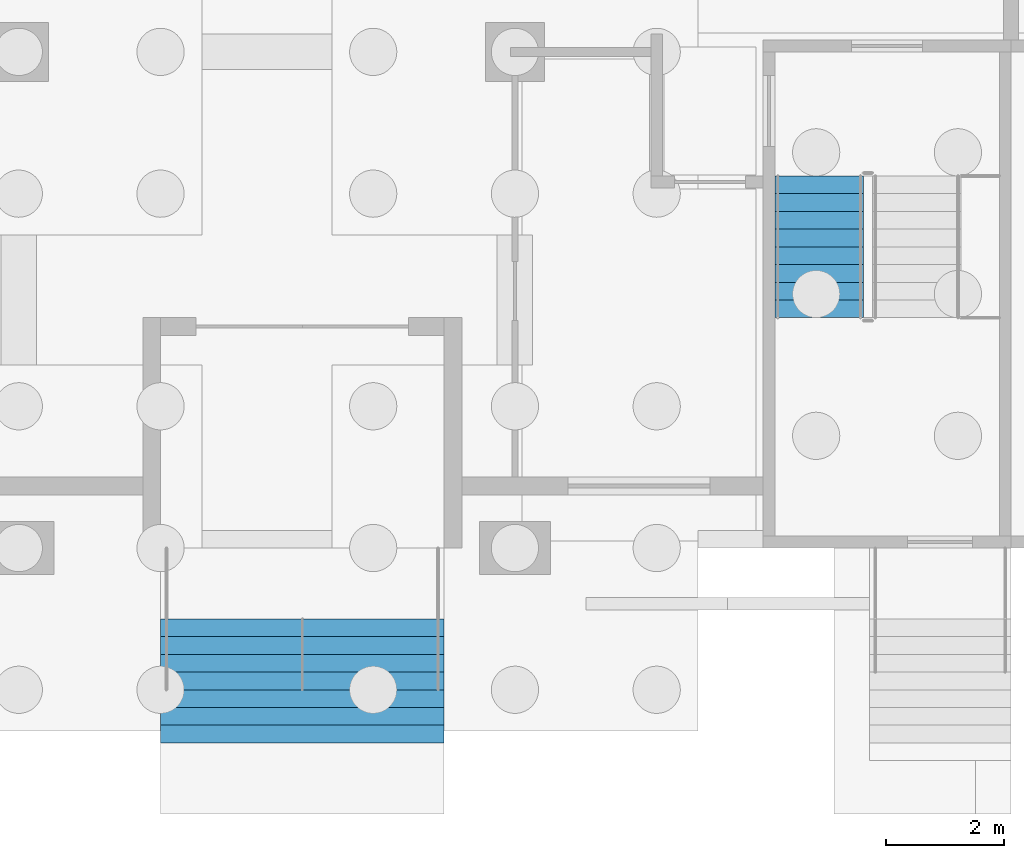
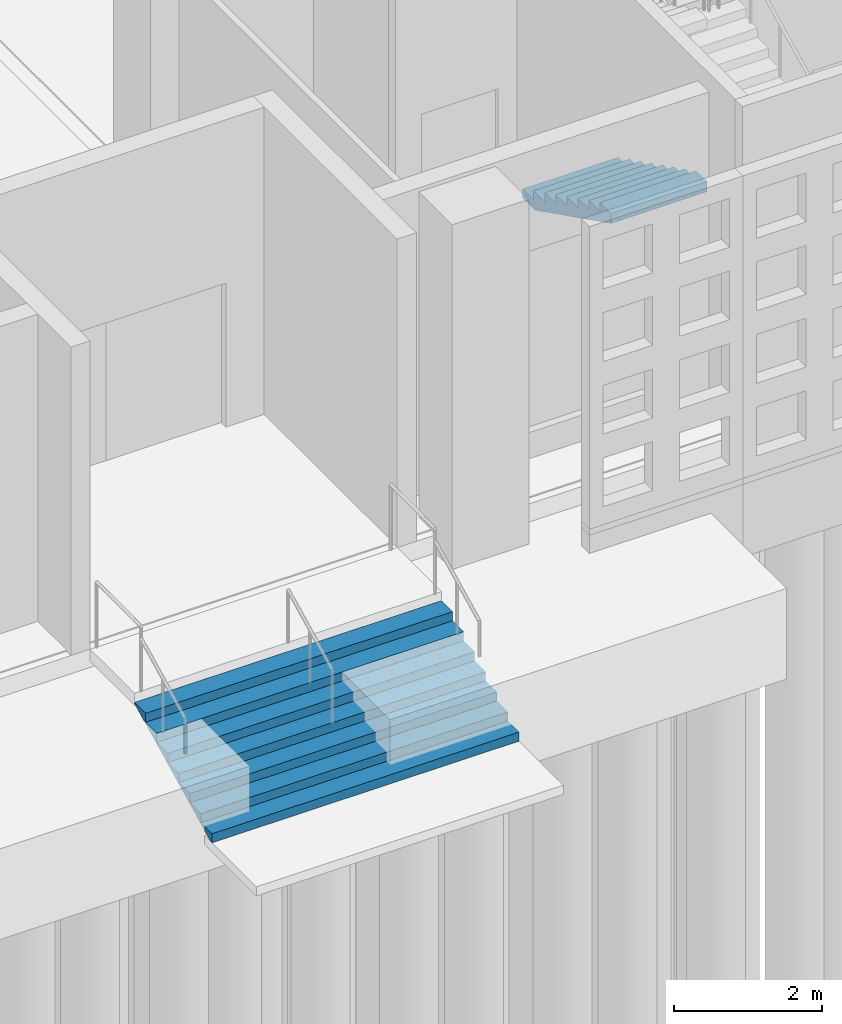
# One storey, part 62 of 129: 2 stair flights, 2 elements without a shape of their own.
"""IFC4 building model written with IfcOpenShell, lengths in metres."""

from ifc_helpers import new_model, si_unit, direction, frame, origin, place, context, subcontext, project, spatial, faceted_brep, material, type_object, element, aggregate, save


model = new_model("IFC4")

# Units and contexts
model_context = context("Model", 3, precision=1e-05, world=origin(), true_north=direction((0.0, 1.0)))
body_context = subcontext(model_context, "Body", "Model", "MODEL_VIEW")
ifc_project = project(units=[si_unit("LENGTHUNIT", "METRE"), si_unit("AREAUNIT", "SQUARE_METRE"), si_unit("VOLUMEUNIT", "CUBIC_METRE"), si_unit("PLANEANGLEUNIT", "RADIAN"), si_unit("MASSUNIT", "GRAM", prefix="KILO")], contexts=[model_context])

# Site, building, storey
site_placement = place(None, origin())
site = spatial("IfcSite", under=ifc_project, at=site_placement, CompositionType="ELEMENT")
building_placement = place(site_placement, origin())
building = spatial("IfcBuilding", under=site, at=building_placement, Name="Kiln Court Media Centre", CompositionType="ELEMENT")
storey_placement = place(building_placement, origin())
storey = spatial("IfcBuildingStorey", under=building, at=storey_placement, Name="L00", CompositionType="ELEMENT", Elevation=0.0)

# Stair, stair flight
ifc_material_1 = material(Name="Concrete C30/37", Category="concrete")
stair_type_1 = type_object("IfcStairType", Name="Concrete C30/37 entrance steps 4800 wide", PredefinedType="STRAIGHT_RUN_STAIR", material=ifc_material_1)
stair_1_placement = place(storey_placement, origin())
stair_1 = element("IfcStair", 1, at=stair_1_placement, inside=storey, type_object=stair_type_1, Name="EN-02 street porch steps", PredefinedType="STRAIGHT_RUN_STAIR")
ifc_material_2 = material(Name="Concrete C30/37", Category="concrete")
stair_flight_type_1 = type_object("IfcStairFlightType", Name="Concrete C30/37 entrance steps 4800 wide flight", PredefinedType="STRAIGHT", material=ifc_material_2)
stair_flight_1_placement = place(storey_placement, frame((21.60009765625, -3.300048828125, -1.199951171875), z_axis=(0.0, 0.0, 1.0), x_axis=(0.0, 1.0, 0.0)))
stair_flight_1 = element("IfcStairFlight", 2, at=stair_flight_1_placement, type_object=stair_flight_type_1, Name="ST-A1 flight 1", NumberOfRisers=8, NumberOfTreads=7, PredefinedType="STRAIGHT", RiserHeight=0.15, TreadLength=0.3, context=body_context, shape_type="Brep", body=[
    faceted_brep([(0.044677734375, -2.39990234375, 0.0), (2.10009765625, -2.39990234375, 1.027587890625), (2.10009765625, -2.39990234375, 1.050048828125), (1.800048828125, -2.39990234375, 1.050048828125), (1.800048828125, -2.39990234375, 0.89990234375), (1.5, -2.39990234375, 0.89990234375), (1.5, -2.39990234375, 0.75), (1.199951171875, -2.39990234375, 0.75), (1.199951171875, -2.39990234375, 0.60009765625), (0.89990234375, -2.39990234375, 0.60009765625), (0.89990234375, -2.39990234375, 0.449951171875), (0.60009765625, -2.39990234375, 0.449951171875), (0.60009765625, -2.39990234375, 0.300048828125), (0.300048828125, -2.39990234375, 0.300048828125), (0.300048828125, -2.39990234375, 0.14990234375), (0.0, -2.39990234375, 0.14990234375), (0.0, -2.39990234375, 0.0), (0.0, 2.39990234375, 0.0), (0.0, 2.39990234375, 0.14990234375), (0.300048828125, 2.39990234375, 0.14990234375), (0.300048828125, 2.39990234375, 0.300048828125), (0.60009765625, 2.39990234375, 0.300048828125), (0.60009765625, 2.39990234375, 0.449951171875), (0.89990234375, 2.39990234375, 0.449951171875), (0.89990234375, 2.39990234375, 0.60009765625), (1.199951171875, 2.39990234375, 0.60009765625), (1.199951171875, 2.39990234375, 0.75), (1.5, 2.39990234375, 0.75), (1.5, 2.39990234375, 0.89990234375), (1.800048828125, 2.39990234375, 0.89990234375), (1.800048828125, 2.39990234375, 1.050048828125), (2.10009765625, 2.39990234375, 1.050048828125), (2.10009765625, 2.39990234375, 1.027587890625), (0.044677734375, 2.39990234375, 0.0), (2.10009765625, 0.10009765625, 1.027587890625), (0.044677734375, 0.10009765625, 0.0), (2.10009765625, 0.080078125, 1.027587890625), (0.044677734375, 0.080078125, 0.0), (2.10009765625, 0.06005859375, 1.027587890625), (0.044677734375, 0.06005859375, 0.0), (2.10009765625, 0.0400390625, 1.027587890625), (0.044677734375, 0.0400390625, 0.0), (2.10009765625, 0.02001953125, 1.027587890625), (0.044677734375, 0.02001953125, 0.0), (2.10009765625, 0.0, 1.027587890625), (0.044677734375, 0.0, 0.0), (2.10009765625, -0.02001953125, 1.027587890625), (0.044677734375, -0.02001953125, 0.0), (2.10009765625, -0.0400390625, 1.027587890625), (0.044677734375, -0.0400390625, 0.0), (2.10009765625, -0.06005859375, 1.027587890625), (0.044677734375, -0.06005859375, 0.0), (2.10009765625, -0.080078125, 1.027587890625), (0.044677734375, -0.080078125, 0.0), (2.10009765625, -0.10009765625, 1.027587890625), (0.044677734375, -0.10009765625, 0.0), (2.10009765625, 0.10009765625, 1.050048828125), (2.10009765625, 0.080078125, 1.050048828125), (2.10009765625, 0.06005859375, 1.050048828125), (2.10009765625, 0.0400390625, 1.050048828125), (2.10009765625, 0.02001953125, 1.050048828125), (2.10009765625, 0.0, 1.050048828125), (2.10009765625, -0.02001953125, 1.050048828125), (2.10009765625, -0.0400390625, 1.050048828125), (2.10009765625, -0.06005859375, 1.050048828125), (2.10009765625, -0.080078125, 1.050048828125), (2.10009765625, -0.10009765625, 1.050048828125), (1.800048828125, 0.10009765625, 1.050048828125), (1.800048828125, 0.080078125, 1.050048828125), (1.800048828125, 0.06005859375, 1.050048828125), (1.800048828125, 0.0400390625, 1.050048828125), (1.800048828125, 0.02001953125, 1.050048828125), (1.800048828125, 0.0, 1.050048828125), (1.800048828125, -0.02001953125, 1.050048828125), (1.800048828125, -0.0400390625, 1.050048828125), (1.800048828125, -0.06005859375, 1.050048828125), (1.800048828125, -0.080078125, 1.050048828125), (1.800048828125, -0.10009765625, 1.050048828125), (1.800048828125, 0.10009765625, 0.89990234375), (1.800048828125, 0.080078125, 0.89990234375), (1.800048828125, 0.06005859375, 0.89990234375), (1.800048828125, 0.0400390625, 0.89990234375), (1.800048828125, 0.02001953125, 0.89990234375), (1.800048828125, 0.0, 0.89990234375), (1.800048828125, -0.02001953125, 0.89990234375), (1.800048828125, -0.0400390625, 0.89990234375), (1.800048828125, -0.06005859375, 0.89990234375), (1.800048828125, -0.080078125, 0.89990234375), (1.800048828125, -0.10009765625, 0.89990234375), (1.5, 0.10009765625, 0.89990234375), (1.5, 0.080078125, 0.89990234375), (1.5, 0.06005859375, 0.89990234375), (1.5, 0.0400390625, 0.89990234375), (1.5, 0.02001953125, 0.89990234375), (1.5, 0.0, 0.89990234375), (1.5, -0.02001953125, 0.89990234375), (1.5, -0.0400390625, 0.89990234375), (1.5, -0.06005859375, 0.89990234375), (1.5, -0.080078125, 0.89990234375), (1.5, -0.10009765625, 0.89990234375), (1.5, 0.10009765625, 0.75), (1.5, 0.080078125, 0.75), (1.5, 0.06005859375, 0.75), (1.5, 0.0400390625, 0.75), (1.5, 0.02001953125, 0.75), (1.5, 0.0, 0.75), (1.5, -0.02001953125, 0.75), (1.5, -0.0400390625, 0.75), (1.5, -0.06005859375, 0.75), (1.5, -0.080078125, 0.75), (1.5, -0.10009765625, 0.75), (1.199951171875, 0.10009765625, 0.75), (1.199951171875, 0.080078125, 0.75), (1.199951171875, 0.06005859375, 0.75), (1.199951171875, 0.0400390625, 0.75), (1.199951171875, 0.02001953125, 0.75), (1.199951171875, 0.0, 0.75), (1.199951171875, -0.02001953125, 0.75), (1.199951171875, -0.0400390625, 0.75), (1.199951171875, -0.06005859375, 0.75), (1.199951171875, -0.080078125, 0.75), (1.199951171875, -0.10009765625, 0.75), (1.199951171875, 0.10009765625, 0.60009765625), (1.199951171875, 0.080078125, 0.60009765625), (1.199951171875, 0.06005859375, 0.60009765625), (1.199951171875, 0.0400390625, 0.60009765625), (1.199951171875, 0.02001953125, 0.60009765625), (1.199951171875, 0.0, 0.60009765625), (1.199951171875, -0.02001953125, 0.60009765625), (1.199951171875, -0.0400390625, 0.60009765625), (1.199951171875, -0.06005859375, 0.60009765625), (1.199951171875, -0.080078125, 0.60009765625), (1.199951171875, -0.10009765625, 0.60009765625), (0.89990234375, 0.10009765625, 0.60009765625), (0.89990234375, 0.080078125, 0.60009765625), (0.89990234375, 0.06005859375, 0.60009765625), (0.89990234375, 0.0400390625, 0.60009765625), (0.89990234375, 0.02001953125, 0.60009765625), (0.89990234375, 0.0, 0.60009765625), (0.89990234375, -0.02001953125, 0.60009765625), (0.89990234375, -0.0400390625, 0.60009765625), (0.89990234375, -0.06005859375, 0.60009765625), (0.89990234375, -0.080078125, 0.60009765625), (0.89990234375, -0.10009765625, 0.60009765625), (0.89990234375, 0.10009765625, 0.449951171875), (0.89990234375, 0.080078125, 0.449951171875), (0.89990234375, 0.06005859375, 0.449951171875), (0.89990234375, 0.0400390625, 0.449951171875), (0.89990234375, 0.02001953125, 0.449951171875), (0.89990234375, 0.0, 0.449951171875), (0.89990234375, -0.02001953125, 0.449951171875), (0.89990234375, -0.0400390625, 0.449951171875), (0.89990234375, -0.06005859375, 0.449951171875), (0.89990234375, -0.080078125, 0.449951171875), (0.89990234375, -0.10009765625, 0.449951171875), (0.60009765625, 0.10009765625, 0.449951171875), (0.60009765625, 0.080078125, 0.449951171875), (0.60009765625, 0.06005859375, 0.449951171875), (0.60009765625, 0.0400390625, 0.449951171875), (0.60009765625, 0.02001953125, 0.449951171875), (0.60009765625, 0.0, 0.449951171875), (0.60009765625, -0.02001953125, 0.449951171875), (0.60009765625, -0.0400390625, 0.449951171875), (0.60009765625, -0.06005859375, 0.449951171875), (0.60009765625, -0.080078125, 0.449951171875), (0.60009765625, -0.10009765625, 0.449951171875), (0.60009765625, 0.10009765625, 0.300048828125), (0.60009765625, 0.080078125, 0.300048828125), (0.60009765625, 0.06005859375, 0.300048828125), (0.60009765625, 0.0400390625, 0.300048828125), (0.60009765625, 0.02001953125, 0.300048828125), (0.60009765625, 0.0, 0.300048828125), (0.60009765625, -0.02001953125, 0.300048828125), (0.60009765625, -0.0400390625, 0.300048828125), (0.60009765625, -0.06005859375, 0.300048828125), (0.60009765625, -0.080078125, 0.300048828125), (0.60009765625, -0.10009765625, 0.300048828125), (0.300048828125, 0.10009765625, 0.300048828125), (0.300048828125, 0.080078125, 0.300048828125), (0.300048828125, 0.06005859375, 0.300048828125), (0.300048828125, 0.0400390625, 0.300048828125), (0.300048828125, 0.02001953125, 0.300048828125), (0.300048828125, 0.0, 0.300048828125), (0.300048828125, -0.02001953125, 0.300048828125), (0.300048828125, -0.0400390625, 0.300048828125), (0.300048828125, -0.06005859375, 0.300048828125), (0.300048828125, -0.080078125, 0.300048828125), (0.300048828125, -0.10009765625, 0.300048828125), (0.300048828125, 0.10009765625, 0.14990234375), (0.300048828125, 0.080078125, 0.14990234375), (0.300048828125, 0.06005859375, 0.14990234375), (0.300048828125, 0.0400390625, 0.14990234375), (0.300048828125, 0.02001953125, 0.14990234375), (0.300048828125, 0.0, 0.14990234375), (0.300048828125, -0.02001953125, 0.14990234375), (0.300048828125, -0.0400390625, 0.14990234375), (0.300048828125, -0.06005859375, 0.14990234375), (0.300048828125, -0.080078125, 0.14990234375), (0.300048828125, -0.10009765625, 0.14990234375), (0.0, 0.10009765625, 0.14990234375), (0.0, 0.080078125, 0.14990234375), (0.0, 0.06005859375, 0.14990234375), (0.0, 0.0400390625, 0.14990234375), (0.0, 0.02001953125, 0.14990234375), (0.0, 0.0, 0.14990234375), (0.0, -0.02001953125, 0.14990234375), (0.0, -0.0400390625, 0.14990234375), (0.0, -0.06005859375, 0.14990234375), (0.0, -0.080078125, 0.14990234375), (0.0, -0.10009765625, 0.14990234375), (0.0, 0.10009765625, 0.0), (0.0, 0.080078125, 0.0), (0.0, 0.06005859375, 0.0), (0.0, 0.0400390625, 0.0), (0.0, 0.02001953125, 0.0), (0.0, 0.0, 0.0), (0.0, -0.02001953125, 0.0), (0.0, -0.0400390625, 0.0), (0.0, -0.06005859375, 0.0), (0.0, -0.080078125, 0.0), (0.0, -0.10009765625, 0.0)], [[[0, 1, 2, 3, 4, 5, 6, 7, 8, 9, 10, 11, 12, 13, 14, 15, 16]], [[17, 18, 19, 20, 21, 22, 23, 24, 25, 26, 27, 28, 29, 30, 31, 32, 33]], [[33, 32, 34, 35]], [[35, 34, 36, 37]], [[37, 36, 38, 39]], [[39, 38, 40, 41]], [[41, 40, 42, 43]], [[43, 42, 44, 45]], [[45, 44, 46, 47]], [[47, 46, 48, 49]], [[49, 48, 50, 51]], [[51, 50, 52, 53]], [[53, 52, 54, 55]], [[55, 54, 1, 0]], [[32, 31, 56, 34]], [[34, 56, 57, 36]], [[36, 57, 58, 38]], [[38, 58, 59, 40]], [[40, 59, 60, 42]], [[42, 60, 61, 44]], [[44, 61, 62, 46]], [[46, 62, 63, 48]], [[48, 63, 64, 50]], [[50, 64, 65, 52]], [[52, 65, 66, 54]], [[54, 66, 2, 1]], [[31, 30, 67, 56]], [[56, 67, 68, 57]], [[57, 68, 69, 58]], [[58, 69, 70, 59]], [[59, 70, 71, 60]], [[60, 71, 72, 61]], [[61, 72, 73, 62]], [[62, 73, 74, 63]], [[63, 74, 75, 64]], [[64, 75, 76, 65]], [[65, 76, 77, 66]], [[66, 77, 3, 2]], [[30, 29, 78, 67]], [[67, 78, 79, 68]], [[68, 79, 80, 69]], [[69, 80, 81, 70]], [[70, 81, 82, 71]], [[71, 82, 83, 72]], [[72, 83, 84, 73]], [[73, 84, 85, 74]], [[74, 85, 86, 75]], [[75, 86, 87, 76]], [[76, 87, 88, 77]], [[77, 88, 4, 3]], [[29, 28, 89, 78]], [[78, 89, 90, 79]], [[79, 90, 91, 80]], [[80, 91, 92, 81]], [[81, 92, 93, 82]], [[82, 93, 94, 83]], [[83, 94, 95, 84]], [[84, 95, 96, 85]], [[85, 96, 97, 86]], [[86, 97, 98, 87]], [[87, 98, 99, 88]], [[88, 99, 5, 4]], [[28, 27, 100, 89]], [[89, 100, 101, 90]], [[90, 101, 102, 91]], [[91, 102, 103, 92]], [[92, 103, 104, 93]], [[93, 104, 105, 94]], [[94, 105, 106, 95]], [[95, 106, 107, 96]], [[96, 107, 108, 97]], [[97, 108, 109, 98]], [[98, 109, 110, 99]], [[99, 110, 6, 5]], [[27, 26, 111, 100]], [[100, 111, 112, 101]], [[101, 112, 113, 102]], [[102, 113, 114, 103]], [[103, 114, 115, 104]], [[104, 115, 116, 105]], [[105, 116, 117, 106]], [[106, 117, 118, 107]], [[107, 118, 119, 108]], [[108, 119, 120, 109]], [[109, 120, 121, 110]], [[110, 121, 7, 6]], [[26, 25, 122, 111]], [[111, 122, 123, 112]], [[112, 123, 124, 113]], [[113, 124, 125, 114]], [[114, 125, 126, 115]], [[115, 126, 127, 116]], [[116, 127, 128, 117]], [[117, 128, 129, 118]], [[118, 129, 130, 119]], [[119, 130, 131, 120]], [[120, 131, 132, 121]], [[121, 132, 8, 7]], [[25, 24, 133, 122]], [[122, 133, 134, 123]], [[123, 134, 135, 124]], [[124, 135, 136, 125]], [[125, 136, 137, 126]], [[126, 137, 138, 127]], [[127, 138, 139, 128]], [[128, 139, 140, 129]], [[129, 140, 141, 130]], [[130, 141, 142, 131]], [[131, 142, 143, 132]], [[132, 143, 9, 8]], [[24, 23, 144, 133]], [[133, 144, 145, 134]], [[134, 145, 146, 135]], [[135, 146, 147, 136]], [[136, 147, 148, 137]], [[137, 148, 149, 138]], [[138, 149, 150, 139]], [[139, 150, 151, 140]], [[140, 151, 152, 141]], [[141, 152, 153, 142]], [[142, 153, 154, 143]], [[143, 154, 10, 9]], [[23, 22, 155, 144]], [[144, 155, 156, 145]], [[145, 156, 157, 146]], [[146, 157, 158, 147]], [[147, 158, 159, 148]], [[148, 159, 160, 149]], [[149, 160, 161, 150]], [[150, 161, 162, 151]], [[151, 162, 163, 152]], [[152, 163, 164, 153]], [[153, 164, 165, 154]], [[154, 165, 11, 10]], [[22, 21, 166, 155]], [[155, 166, 167, 156]], [[156, 167, 168, 157]], [[157, 168, 169, 158]], [[158, 169, 170, 159]], [[159, 170, 171, 160]], [[160, 171, 172, 161]], [[161, 172, 173, 162]], [[162, 173, 174, 163]], [[163, 174, 175, 164]], [[164, 175, 176, 165]], [[165, 176, 12, 11]], [[21, 20, 177, 166]], [[166, 177, 178, 167]], [[167, 178, 179, 168]], [[168, 179, 180, 169]], [[169, 180, 181, 170]], [[170, 181, 182, 171]], [[171, 182, 183, 172]], [[172, 183, 184, 173]], [[173, 184, 185, 174]], [[174, 185, 186, 175]], [[175, 186, 187, 176]], [[176, 187, 13, 12]], [[20, 19, 188, 177]], [[177, 188, 189, 178]], [[178, 189, 190, 179]], [[179, 190, 191, 180]], [[180, 191, 192, 181]], [[181, 192, 193, 182]], [[182, 193, 194, 183]], [[183, 194, 195, 184]], [[184, 195, 196, 185]], [[185, 196, 197, 186]], [[186, 197, 198, 187]], [[187, 198, 14, 13]], [[19, 18, 199, 188]], [[188, 199, 200, 189]], [[189, 200, 201, 190]], [[190, 201, 202, 191]], [[191, 202, 203, 192]], [[192, 203, 204, 193]], [[193, 204, 205, 194]], [[194, 205, 206, 195]], [[195, 206, 207, 196]], [[196, 207, 208, 197]], [[197, 208, 209, 198]], [[198, 209, 15, 14]], [[18, 17, 210, 199]], [[199, 210, 211, 200]], [[200, 211, 212, 201]], [[201, 212, 213, 202]], [[202, 213, 214, 203]], [[203, 214, 215, 204]], [[204, 215, 216, 205]], [[205, 216, 217, 206]], [[206, 217, 218, 207]], [[207, 218, 219, 208]], [[208, 219, 220, 209]], [[209, 220, 16, 15]], [[17, 33, 35, 210]], [[210, 35, 37, 211]], [[211, 37, 39, 212]], [[212, 39, 41, 213]], [[213, 41, 43, 214]], [[214, 43, 45, 215]], [[215, 45, 47, 216]], [[216, 47, 49, 217]], [[217, 49, 51, 218]], [[218, 51, 53, 219]], [[219, 53, 55, 220]], [[220, 55, 0, 16]]]),
])
aggregate(stair_1, [stair_flight_1])

ifc_material_3 = material(Name="Concrete C40/50", Category="concrete")
stair_type_2 = type_object("IfcStairType", Name="Concrete C40/50 dog-leg stair 1500 wide, 150 riser", PredefinedType="HALF_TURN_STAIR", material=ifc_material_3)
stair_2_placement = place(storey_placement, origin())
stair_2 = element("IfcStair", 3, at=stair_2_placement, inside=storey, type_object=stair_type_2, Name="ST-03 L00", PredefinedType="HALF_TURN_STAIR")
ifc_material_4 = material(Name="Concrete C40/50", Category="concrete")
stair_flight_type_2 = type_object("IfcStairFlightType", Name="Concrete C40/50 stair flight 1500 wide, 150 riser, 300 going", PredefinedType="STRAIGHT", material=ifc_material_4)
stair_flight_2_placement = place(storey_placement, frame((30.35009765625, 6.300048828125, 0.0), z_axis=(0.0, 0.0, 1.0), x_axis=(0.0, -1.0, 0.0)))
stair_flight_2 = element("IfcStairFlight", 4, at=stair_flight_2_placement, type_object=stair_flight_type_2, Name="L00-ST-5002 flight 5008", NumberOfRisers=9, NumberOfTreads=8, PredefinedType="STRAIGHT", RiserHeight=0.15, TreadLength=0.3, context=body_context, shape_type="Brep", body=[
    faceted_brep([(0.335205078125, -0.75, 0.0), (2.39990234375, -0.75, 1.032470703125), (2.39990234375, -0.75, 1.199951171875), (2.10009765625, -0.75, 1.199951171875), (2.10009765625, -0.75, 1.050048828125), (1.800048828125, -0.75, 1.050048828125), (1.800048828125, -0.75, 0.89990234375), (1.5, -0.75, 0.89990234375), (1.5, -0.75, 0.75), (1.199951171875, -0.75, 0.75), (1.199951171875, -0.75, 0.60009765625), (0.89990234375, -0.75, 0.60009765625), (0.89990234375, -0.75, 0.449951171875), (0.60009765625, -0.75, 0.449951171875), (0.60009765625, -0.75, 0.300048828125), (0.300048828125, -0.75, 0.300048828125), (0.300048828125, -0.75, 0.14990234375), (0.0, -0.75, 0.14990234375), (0.0, -0.75, 0.0), (0.0, 0.75, 0.0), (0.0, 0.75, 0.14990234375), (0.300048828125, 0.75, 0.14990234375), (0.300048828125, 0.75, 0.300048828125), (0.60009765625, 0.75, 0.300048828125), (0.60009765625, 0.75, 0.449951171875), (0.89990234375, 0.75, 0.449951171875), (0.89990234375, 0.75, 0.60009765625), (1.199951171875, 0.75, 0.60009765625), (1.199951171875, 0.75, 0.75), (1.5, 0.75, 0.75), (1.5, 0.75, 0.89990234375), (1.800048828125, 0.75, 0.89990234375), (1.800048828125, 0.75, 1.050048828125), (2.10009765625, 0.75, 1.050048828125), (2.10009765625, 0.75, 1.199951171875), (2.39990234375, 0.75, 1.199951171875), (2.39990234375, 0.75, 1.032470703125), (0.335205078125, 0.75, 0.0), (2.39990234375, 0.10009765625, 1.032470703125), (0.335205078125, 0.10009765625, 0.0), (2.39990234375, 0.080078125, 1.032470703125), (0.335205078125, 0.080078125, 0.0), (2.39990234375, 0.06005859375, 1.032470703125), (0.335205078125, 0.06005859375, 0.0), (2.39990234375, 0.0400390625, 1.032470703125), (0.335205078125, 0.0400390625, 0.0), (2.39990234375, 0.02001953125, 1.032470703125), (0.335205078125, 0.02001953125, 0.0), (2.39990234375, 0.0, 1.032470703125), (0.335205078125, 0.0, 0.0), (2.39990234375, -0.02001953125, 1.032470703125), (0.335205078125, -0.02001953125, 0.0), (2.39990234375, -0.0400390625, 1.032470703125), (0.335205078125, -0.0400390625, 0.0), (2.39990234375, -0.06005859375, 1.032470703125), (0.335205078125, -0.06005859375, 0.0), (2.39990234375, -0.080078125, 1.032470703125), (0.335205078125, -0.080078125, 0.0), (2.39990234375, -0.10009765625, 1.032470703125), (0.335205078125, -0.10009765625, 0.0), (2.39990234375, 0.10009765625, 1.199951171875), (2.39990234375, 0.080078125, 1.199951171875), (2.39990234375, 0.06005859375, 1.199951171875), (2.39990234375, 0.0400390625, 1.199951171875), (2.39990234375, 0.02001953125, 1.199951171875), (2.39990234375, 0.0, 1.199951171875), (2.39990234375, -0.02001953125, 1.199951171875), (2.39990234375, -0.0400390625, 1.199951171875), (2.39990234375, -0.06005859375, 1.199951171875), (2.39990234375, -0.080078125, 1.199951171875), (2.39990234375, -0.10009765625, 1.199951171875), (2.10009765625, 0.10009765625, 1.199951171875), (2.10009765625, 0.080078125, 1.199951171875), (2.10009765625, 0.06005859375, 1.199951171875), (2.10009765625, 0.0400390625, 1.199951171875), (2.10009765625, 0.02001953125, 1.199951171875), (2.10009765625, 0.0, 1.199951171875), (2.10009765625, -0.02001953125, 1.199951171875), (2.10009765625, -0.0400390625, 1.199951171875), (2.10009765625, -0.06005859375, 1.199951171875), (2.10009765625, -0.080078125, 1.199951171875), (2.10009765625, -0.10009765625, 1.199951171875), (2.10009765625, 0.10009765625, 1.050048828125), (2.10009765625, 0.080078125, 1.050048828125), (2.10009765625, 0.06005859375, 1.050048828125), (2.10009765625, 0.0400390625, 1.050048828125), (2.10009765625, 0.02001953125, 1.050048828125), (2.10009765625, 0.0, 1.050048828125), (2.10009765625, -0.02001953125, 1.050048828125), (2.10009765625, -0.0400390625, 1.050048828125), (2.10009765625, -0.06005859375, 1.050048828125), (2.10009765625, -0.080078125, 1.050048828125), (2.10009765625, -0.10009765625, 1.050048828125), (1.800048828125, 0.10009765625, 1.050048828125), (1.800048828125, 0.080078125, 1.050048828125), (1.800048828125, 0.06005859375, 1.050048828125), (1.800048828125, 0.0400390625, 1.050048828125), (1.800048828125, 0.02001953125, 1.050048828125), (1.800048828125, 0.0, 1.050048828125), (1.800048828125, -0.02001953125, 1.050048828125), (1.800048828125, -0.0400390625, 1.050048828125), (1.800048828125, -0.06005859375, 1.050048828125), (1.800048828125, -0.080078125, 1.050048828125), (1.800048828125, -0.10009765625, 1.050048828125), (1.800048828125, 0.10009765625, 0.89990234375), (1.800048828125, 0.080078125, 0.89990234375), (1.800048828125, 0.06005859375, 0.89990234375), (1.800048828125, 0.0400390625, 0.89990234375), (1.800048828125, 0.02001953125, 0.89990234375), (1.800048828125, 0.0, 0.89990234375), (1.800048828125, -0.02001953125, 0.89990234375), (1.800048828125, -0.0400390625, 0.89990234375), (1.800048828125, -0.06005859375, 0.89990234375), (1.800048828125, -0.080078125, 0.89990234375), (1.800048828125, -0.10009765625, 0.89990234375), (1.5, 0.10009765625, 0.89990234375), (1.5, 0.080078125, 0.89990234375), (1.5, 0.06005859375, 0.89990234375), (1.5, 0.0400390625, 0.89990234375), (1.5, 0.02001953125, 0.89990234375), (1.5, 0.0, 0.89990234375), (1.5, -0.02001953125, 0.89990234375), (1.5, -0.0400390625, 0.89990234375), (1.5, -0.06005859375, 0.89990234375), (1.5, -0.080078125, 0.89990234375), (1.5, -0.10009765625, 0.89990234375), (1.5, 0.10009765625, 0.75), (1.5, 0.080078125, 0.75), (1.5, 0.06005859375, 0.75), (1.5, 0.0400390625, 0.75), (1.5, 0.02001953125, 0.75), (1.5, 0.0, 0.75), (1.5, -0.02001953125, 0.75), (1.5, -0.0400390625, 0.75), (1.5, -0.06005859375, 0.75), (1.5, -0.080078125, 0.75), (1.5, -0.10009765625, 0.75), (1.199951171875, 0.10009765625, 0.75), (1.199951171875, 0.080078125, 0.75), (1.199951171875, 0.06005859375, 0.75), (1.199951171875, 0.0400390625, 0.75), (1.199951171875, 0.02001953125, 0.75), (1.199951171875, 0.0, 0.75), (1.199951171875, -0.02001953125, 0.75), (1.199951171875, -0.0400390625, 0.75), (1.199951171875, -0.06005859375, 0.75), (1.199951171875, -0.080078125, 0.75), (1.199951171875, -0.10009765625, 0.75), (1.199951171875, 0.10009765625, 0.60009765625), (1.199951171875, 0.080078125, 0.60009765625), (1.199951171875, 0.06005859375, 0.60009765625), (1.199951171875, 0.0400390625, 0.60009765625), (1.199951171875, 0.02001953125, 0.60009765625), (1.199951171875, 0.0, 0.60009765625), (1.199951171875, -0.02001953125, 0.60009765625), (1.199951171875, -0.0400390625, 0.60009765625), (1.199951171875, -0.06005859375, 0.60009765625), (1.199951171875, -0.080078125, 0.60009765625), (1.199951171875, -0.10009765625, 0.60009765625), (0.89990234375, 0.10009765625, 0.60009765625), (0.89990234375, 0.080078125, 0.60009765625), (0.89990234375, 0.06005859375, 0.60009765625), (0.89990234375, 0.0400390625, 0.60009765625), (0.89990234375, 0.02001953125, 0.60009765625), (0.89990234375, 0.0, 0.60009765625), (0.89990234375, -0.02001953125, 0.60009765625), (0.89990234375, -0.0400390625, 0.60009765625), (0.89990234375, -0.06005859375, 0.60009765625), (0.89990234375, -0.080078125, 0.60009765625), (0.89990234375, -0.10009765625, 0.60009765625), (0.89990234375, 0.10009765625, 0.449951171875), (0.89990234375, 0.080078125, 0.449951171875), (0.89990234375, 0.06005859375, 0.449951171875), (0.89990234375, 0.0400390625, 0.449951171875), (0.89990234375, 0.02001953125, 0.449951171875), (0.89990234375, 0.0, 0.449951171875), (0.89990234375, -0.02001953125, 0.449951171875), (0.89990234375, -0.0400390625, 0.449951171875), (0.89990234375, -0.06005859375, 0.449951171875), (0.89990234375, -0.080078125, 0.449951171875), (0.89990234375, -0.10009765625, 0.449951171875), (0.60009765625, 0.10009765625, 0.449951171875), (0.60009765625, 0.080078125, 0.449951171875), (0.60009765625, 0.06005859375, 0.449951171875), (0.60009765625, 0.0400390625, 0.449951171875), (0.60009765625, 0.02001953125, 0.449951171875), (0.60009765625, 0.0, 0.449951171875), (0.60009765625, -0.02001953125, 0.449951171875), (0.60009765625, -0.0400390625, 0.449951171875), (0.60009765625, -0.06005859375, 0.449951171875), (0.60009765625, -0.080078125, 0.449951171875), (0.60009765625, -0.10009765625, 0.449951171875), (0.60009765625, 0.10009765625, 0.300048828125), (0.60009765625, 0.080078125, 0.300048828125), (0.60009765625, 0.06005859375, 0.300048828125), (0.60009765625, 0.0400390625, 0.300048828125), (0.60009765625, 0.02001953125, 0.300048828125), (0.60009765625, 0.0, 0.300048828125), (0.60009765625, -0.02001953125, 0.300048828125), (0.60009765625, -0.0400390625, 0.300048828125), (0.60009765625, -0.06005859375, 0.300048828125), (0.60009765625, -0.080078125, 0.300048828125), (0.60009765625, -0.10009765625, 0.300048828125), (0.300048828125, 0.10009765625, 0.300048828125), (0.300048828125, 0.080078125, 0.300048828125), (0.300048828125, 0.06005859375, 0.300048828125), (0.300048828125, 0.0400390625, 0.300048828125), (0.300048828125, 0.02001953125, 0.300048828125), (0.300048828125, 0.0, 0.300048828125), (0.300048828125, -0.02001953125, 0.300048828125), (0.300048828125, -0.0400390625, 0.300048828125), (0.300048828125, -0.06005859375, 0.300048828125), (0.300048828125, -0.080078125, 0.300048828125), (0.300048828125, -0.10009765625, 0.300048828125), (0.300048828125, 0.10009765625, 0.14990234375), (0.300048828125, 0.080078125, 0.14990234375), (0.300048828125, 0.06005859375, 0.14990234375), (0.300048828125, 0.0400390625, 0.14990234375), (0.300048828125, 0.02001953125, 0.14990234375), (0.300048828125, 0.0, 0.14990234375), (0.300048828125, -0.02001953125, 0.14990234375), (0.300048828125, -0.0400390625, 0.14990234375), (0.300048828125, -0.06005859375, 0.14990234375), (0.300048828125, -0.080078125, 0.14990234375), (0.300048828125, -0.10009765625, 0.14990234375), (0.0, 0.10009765625, 0.14990234375), (0.0, 0.080078125, 0.14990234375), (0.0, 0.06005859375, 0.14990234375), (0.0, 0.0400390625, 0.14990234375), (0.0, 0.02001953125, 0.14990234375), (0.0, 0.0, 0.14990234375), (0.0, -0.02001953125, 0.14990234375), (0.0, -0.0400390625, 0.14990234375), (0.0, -0.06005859375, 0.14990234375), (0.0, -0.080078125, 0.14990234375), (0.0, -0.10009765625, 0.14990234375), (0.0, 0.10009765625, 0.0), (0.0, 0.080078125, 0.0), (0.0, 0.06005859375, 0.0), (0.0, 0.0400390625, 0.0), (0.0, 0.02001953125, 0.0), (0.0, 0.0, 0.0), (0.0, -0.02001953125, 0.0), (0.0, -0.0400390625, 0.0), (0.0, -0.06005859375, 0.0), (0.0, -0.080078125, 0.0), (0.0, -0.10009765625, 0.0)], [[[0, 1, 2, 3, 4, 5, 6, 7, 8, 9, 10, 11, 12, 13, 14, 15, 16, 17, 18]], [[19, 20, 21, 22, 23, 24, 25, 26, 27, 28, 29, 30, 31, 32, 33, 34, 35, 36, 37]], [[37, 36, 38, 39]], [[39, 38, 40, 41]], [[41, 40, 42, 43]], [[43, 42, 44, 45]], [[45, 44, 46, 47]], [[47, 46, 48, 49]], [[49, 48, 50, 51]], [[51, 50, 52, 53]], [[53, 52, 54, 55]], [[55, 54, 56, 57]], [[57, 56, 58, 59]], [[59, 58, 1, 0]], [[36, 35, 60, 38]], [[38, 60, 61, 40]], [[40, 61, 62, 42]], [[42, 62, 63, 44]], [[44, 63, 64, 46]], [[46, 64, 65, 48]], [[48, 65, 66, 50]], [[50, 66, 67, 52]], [[52, 67, 68, 54]], [[54, 68, 69, 56]], [[56, 69, 70, 58]], [[58, 70, 2, 1]], [[35, 34, 71, 60]], [[60, 71, 72, 61]], [[61, 72, 73, 62]], [[62, 73, 74, 63]], [[63, 74, 75, 64]], [[64, 75, 76, 65]], [[65, 76, 77, 66]], [[66, 77, 78, 67]], [[67, 78, 79, 68]], [[68, 79, 80, 69]], [[69, 80, 81, 70]], [[70, 81, 3, 2]], [[34, 33, 82, 71]], [[71, 82, 83, 72]], [[72, 83, 84, 73]], [[73, 84, 85, 74]], [[74, 85, 86, 75]], [[75, 86, 87, 76]], [[76, 87, 88, 77]], [[77, 88, 89, 78]], [[78, 89, 90, 79]], [[79, 90, 91, 80]], [[80, 91, 92, 81]], [[81, 92, 4, 3]], [[33, 32, 93, 82]], [[82, 93, 94, 83]], [[83, 94, 95, 84]], [[84, 95, 96, 85]], [[85, 96, 97, 86]], [[86, 97, 98, 87]], [[87, 98, 99, 88]], [[88, 99, 100, 89]], [[89, 100, 101, 90]], [[90, 101, 102, 91]], [[91, 102, 103, 92]], [[92, 103, 5, 4]], [[32, 31, 104, 93]], [[93, 104, 105, 94]], [[94, 105, 106, 95]], [[95, 106, 107, 96]], [[96, 107, 108, 97]], [[97, 108, 109, 98]], [[98, 109, 110, 99]], [[99, 110, 111, 100]], [[100, 111, 112, 101]], [[101, 112, 113, 102]], [[102, 113, 114, 103]], [[103, 114, 6, 5]], [[31, 30, 115, 104]], [[104, 115, 116, 105]], [[105, 116, 117, 106]], [[106, 117, 118, 107]], [[107, 118, 119, 108]], [[108, 119, 120, 109]], [[109, 120, 121, 110]], [[110, 121, 122, 111]], [[111, 122, 123, 112]], [[112, 123, 124, 113]], [[113, 124, 125, 114]], [[114, 125, 7, 6]], [[30, 29, 126, 115]], [[115, 126, 127, 116]], [[116, 127, 128, 117]], [[117, 128, 129, 118]], [[118, 129, 130, 119]], [[119, 130, 131, 120]], [[120, 131, 132, 121]], [[121, 132, 133, 122]], [[122, 133, 134, 123]], [[123, 134, 135, 124]], [[124, 135, 136, 125]], [[125, 136, 8, 7]], [[29, 28, 137, 126]], [[126, 137, 138, 127]], [[127, 138, 139, 128]], [[128, 139, 140, 129]], [[129, 140, 141, 130]], [[130, 141, 142, 131]], [[131, 142, 143, 132]], [[132, 143, 144, 133]], [[133, 144, 145, 134]], [[134, 145, 146, 135]], [[135, 146, 147, 136]], [[136, 147, 9, 8]], [[28, 27, 148, 137]], [[137, 148, 149, 138]], [[138, 149, 150, 139]], [[139, 150, 151, 140]], [[140, 151, 152, 141]], [[141, 152, 153, 142]], [[142, 153, 154, 143]], [[143, 154, 155, 144]], [[144, 155, 156, 145]], [[145, 156, 157, 146]], [[146, 157, 158, 147]], [[147, 158, 10, 9]], [[27, 26, 159, 148]], [[148, 159, 160, 149]], [[149, 160, 161, 150]], [[150, 161, 162, 151]], [[151, 162, 163, 152]], [[152, 163, 164, 153]], [[153, 164, 165, 154]], [[154, 165, 166, 155]], [[155, 166, 167, 156]], [[156, 167, 168, 157]], [[157, 168, 169, 158]], [[158, 169, 11, 10]], [[26, 25, 170, 159]], [[159, 170, 171, 160]], [[160, 171, 172, 161]], [[161, 172, 173, 162]], [[162, 173, 174, 163]], [[163, 174, 175, 164]], [[164, 175, 176, 165]], [[165, 176, 177, 166]], [[166, 177, 178, 167]], [[167, 178, 179, 168]], [[168, 179, 180, 169]], [[169, 180, 12, 11]], [[25, 24, 181, 170]], [[170, 181, 182, 171]], [[171, 182, 183, 172]], [[172, 183, 184, 173]], [[173, 184, 185, 174]], [[174, 185, 186, 175]], [[175, 186, 187, 176]], [[176, 187, 188, 177]], [[177, 188, 189, 178]], [[178, 189, 190, 179]], [[179, 190, 191, 180]], [[180, 191, 13, 12]], [[24, 23, 192, 181]], [[181, 192, 193, 182]], [[182, 193, 194, 183]], [[183, 194, 195, 184]], [[184, 195, 196, 185]], [[185, 196, 197, 186]], [[186, 197, 198, 187]], [[187, 198, 199, 188]], [[188, 199, 200, 189]], [[189, 200, 201, 190]], [[190, 201, 202, 191]], [[191, 202, 14, 13]], [[23, 22, 203, 192]], [[192, 203, 204, 193]], [[193, 204, 205, 194]], [[194, 205, 206, 195]], [[195, 206, 207, 196]], [[196, 207, 208, 197]], [[197, 208, 209, 198]], [[198, 209, 210, 199]], [[199, 210, 211, 200]], [[200, 211, 212, 201]], [[201, 212, 213, 202]], [[202, 213, 15, 14]], [[22, 21, 214, 203]], [[203, 214, 215, 204]], [[204, 215, 216, 205]], [[205, 216, 217, 206]], [[206, 217, 218, 207]], [[207, 218, 219, 208]], [[208, 219, 220, 209]], [[209, 220, 221, 210]], [[210, 221, 222, 211]], [[211, 222, 223, 212]], [[212, 223, 224, 213]], [[213, 224, 16, 15]], [[21, 20, 225, 214]], [[214, 225, 226, 215]], [[215, 226, 227, 216]], [[216, 227, 228, 217]], [[217, 228, 229, 218]], [[218, 229, 230, 219]], [[219, 230, 231, 220]], [[220, 231, 232, 221]], [[221, 232, 233, 222]], [[222, 233, 234, 223]], [[223, 234, 235, 224]], [[224, 235, 17, 16]], [[20, 19, 236, 225]], [[225, 236, 237, 226]], [[226, 237, 238, 227]], [[227, 238, 239, 228]], [[228, 239, 240, 229]], [[229, 240, 241, 230]], [[230, 241, 242, 231]], [[231, 242, 243, 232]], [[232, 243, 244, 233]], [[233, 244, 245, 234]], [[234, 245, 246, 235]], [[235, 246, 18, 17]], [[19, 37, 39, 236]], [[236, 39, 41, 237]], [[237, 41, 43, 238]], [[238, 43, 45, 239]], [[239, 45, 47, 240]], [[240, 47, 49, 241]], [[241, 49, 51, 242]], [[242, 51, 53, 243]], [[243, 53, 55, 244]], [[244, 55, 57, 245]], [[245, 57, 59, 246]], [[246, 59, 0, 18]]]),
])
aggregate(stair_2, [stair_flight_2])

save(model, "model.ifc")
